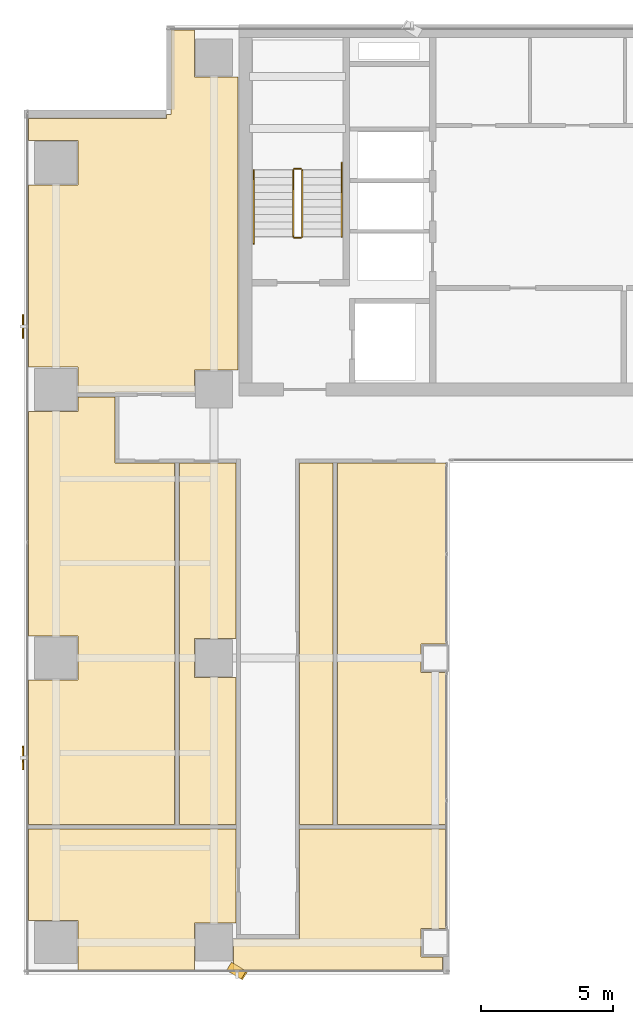
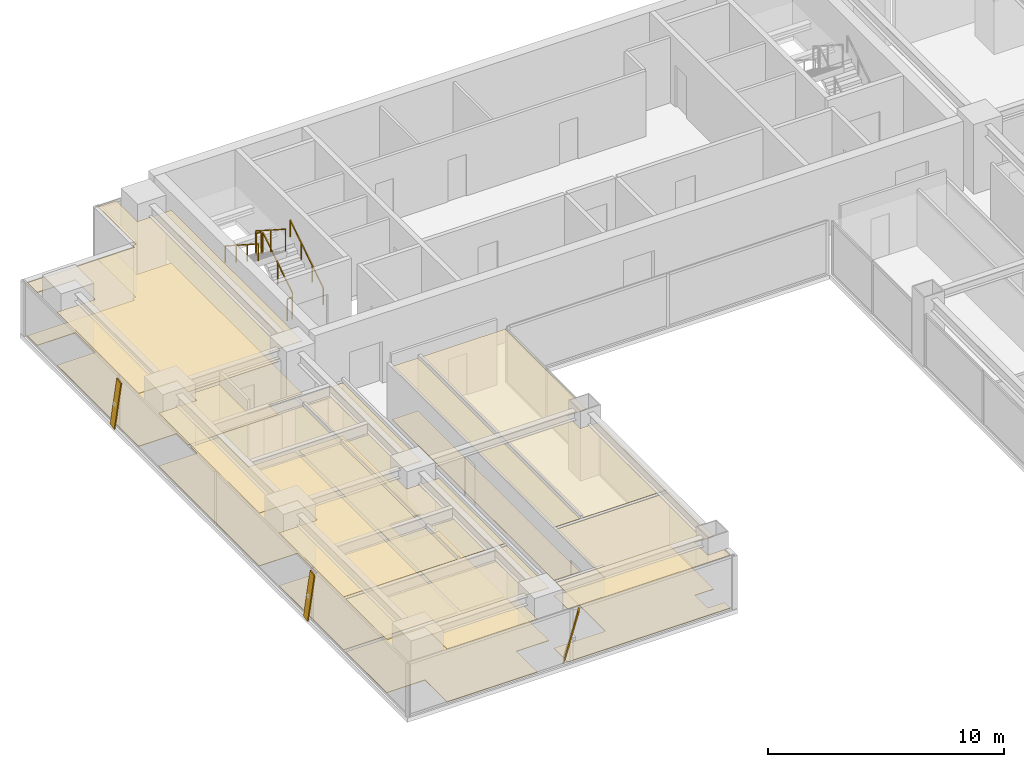
# One storey, part 27 of 30: 13 coverings, 6 railings, 3 shading devices.
"""IFC4 building model written with IfcOpenShell, lengths in metres."""

from ifc_helpers import new_model, si_unit, direction, frame, origin, origin_2d, place, context, subcontext, project, spatial, polyline, rectangle, outline, extrude, source, transform, mapped, material, layer, layer_set, material_profile, profile_set, type_object, element, save


model = new_model("IFC4")

# Units and contexts
model_context = context("Model", 3, precision=1e-05, world=origin(), true_north=direction((0.0, 1.0)))
body_context = subcontext(model_context, "Body", "Model", "MODEL_VIEW")
ifc_project = project(units=[si_unit("LENGTHUNIT", "METRE"), si_unit("AREAUNIT", "SQUARE_METRE"), si_unit("VOLUMEUNIT", "CUBIC_METRE"), si_unit("PLANEANGLEUNIT", "RADIAN"), si_unit("MASSUNIT", "GRAM", prefix="KILO")], contexts=[model_context])

# Site, building, storey
site_placement = place(None, origin())
site = spatial("IfcSite", under=ifc_project, at=site_placement, CompositionType="ELEMENT")
building_placement = place(site_placement, origin())
building = spatial("IfcBuilding", under=site, at=building_placement, Name="Sumidabori Civic Tower", CompositionType="ELEMENT")
storey_placement = place(building_placement, frame((0.0, 0.0, 200.0)))
storey = spatial("IfcBuildingStorey", under=building, at=storey_placement, Name="L51", CompositionType="ELEMENT", Elevation=200.0)

# Coverings
ifc_material_1 = material(Name="Acoustic Mineral Gypsum Ceiling Tile")
ifc_layer_1 = layer(ifc_material_1, 0.034912109375, Name="Acoustic Mineral Gypsum Ceiling Tile")
ifc_layer_set_1 = layer_set([ifc_layer_1], Name="Acoustic Mineral Gypsum Ceiling Tile")
covering_type_1 = type_object("IfcCoveringType", Name="CV-CEIL-AC1", PredefinedType="CEILING", material=ifc_layer_set_1)
covering_1_placement = place(storey_placement, frame((0.0, 0.0, 2.72998046875)))
element("IfcCovering", 1, at=covering_1_placement, inside=storey, type_object=covering_type_1, Name="Room Acoustic Ceiling L51-01", PredefinedType="CEILING", context=body_context, shape_type="SweptSolid", body=[
    extrude(outline(polyline([(-23.830078125, 17.9599609375), (-21.9599609375, 17.9599609375), (-21.9599609375, 19.639892578125), (-23.830078125, 19.639892578125), (-23.830078125, 20.471923828125), (-18.592041015625, 20.471923828125), (-18.592041015625, 20.6298828125), (-18.429931640625, 20.6298828125), (-18.429931640625, 23.830078125), (-17.5400390625, 23.830078125), (-17.5400390625, 22.06005859375), (-15.8779296875, 22.06005859375), (-15.8779296875, 10.93994140625), (-17.5400390625, 10.93994140625), (-17.5400390625, 10.10498046875), (-20.554931640625, 10.10498046875), (-20.554931640625, 10.08740234375), (-21.9599609375, 10.08740234375), (-21.9599609375, 11.0400390625), (-23.830078125, 11.0400390625), (-23.830078125, 17.9599609375)])), origin(), (0.0, 0.0, 1.0), 0.034912109375),
])
covering_2_placement = place(storey_placement, frame((0.0, 0.0, 2.72998046875)))
element("IfcCovering", 2, at=covering_2_placement, inside=storey, type_object=covering_type_1, Name="Room Acoustic Ceiling L51-03", PredefinedType="CEILING", context=body_context, shape_type="SweptSolid", body=[
    extrude(outline(polyline([(-23.830078125, -6.3125), (-23.830078125, -0.840087890625), (-21.9599609375, -0.840087890625), (-21.9599609375, 0.840087890625), (-23.830078125, 0.840087890625), (-23.830078125, 9.360107421875), (-21.9599609375, 9.360107421875), (-21.9599609375, 9.91259765625), (-20.554931640625, 9.91259765625), (-20.554931640625, 7.39501953125), (-18.28759765625, 7.39501953125), (-18.28759765625, -6.3125), (-23.830078125, -6.3125)])), origin(), (0.0, 0.0, 1.0), 0.034912109375),
])
covering_3_placement = place(storey_placement, frame((0.0, 0.0, 2.72998046875)))
element("IfcCovering", 3, at=covering_3_placement, inside=storey, type_object=covering_type_1, Name="Room Acoustic Ceiling L51-05", PredefinedType="CEILING", context=body_context, shape_type="SweptSolid", body=[
    extrude(outline(polyline([(-18.112548828125, -6.3125), (-18.112548828125, 7.39501953125), (-15.955078125, 7.39501953125), (-15.955078125, 0.739990234375), (-17.5400390625, 0.739990234375), (-17.5400390625, -0.739990234375), (-15.955078125, -0.739990234375), (-15.955078125, -6.3125), (-18.112548828125, -6.3125)])), origin(), (0.0, 0.0, 1.0), 0.034912109375),
])
covering_4_placement = place(storey_placement, frame((0.0, 0.0, 2.72998046875)))
element("IfcCovering", 4, at=covering_4_placement, inside=storey, type_object=covering_type_1, Name="Room Acoustic Ceiling L51-06", PredefinedType="CEILING", context=body_context, shape_type="SweptSolid", body=[
    extrude(outline(polyline([(-12.112548828125, 7.39501953125), (-8.02001953125, 7.39501953125), (-8.02001953125, 0.5400390625), (-8.93994140625, 0.5400390625), (-8.93994140625, -0.5400390625), (-8.02001953125, -0.5400390625), (-8.02001953125, -6.3125), (-12.112548828125, -6.3125), (-12.112548828125, 7.39501953125)])), origin(), (0.0, 0.0, 1.0), 0.034912109375),
])
covering_5_placement = place(storey_placement, frame((0.0, 0.0, 2.72998046875)))
element("IfcCovering", 5, at=covering_5_placement, inside=storey, type_object=covering_type_1, Name="Room Acoustic Ceiling L51-09", PredefinedType="CEILING", context=body_context, shape_type="SweptSolid", body=[
    extrude(outline(polyline([(-13.544921875, 7.39501953125), (-12.28759765625, 7.39501953125), (-12.28759765625, -6.3125), (-13.544921875, -6.3125), (-13.544921875, 7.39501953125)])), origin(), (0.0, 0.0, 1.0), 0.034912109375),
])
covering_6_placement = place(storey_placement, frame((0.0, 0.0, 2.72998046875)))
element("IfcCovering", 6, at=covering_6_placement, inside=storey, type_object=covering_type_1, Name="Room Acoustic Ceiling L51-11", PredefinedType="CEILING", context=body_context, shape_type="SweptSolid", body=[
    extrude(outline(polyline([(-23.830078125, -6.487548828125), (-15.955078125, -6.487548828125), (-15.955078125, -10.06005859375), (-17.5400390625, -10.06005859375), (-17.5400390625, -11.830078125), (-21.9599609375, -11.830078125), (-21.9599609375, -9.9599609375), (-23.830078125, -9.9599609375), (-23.830078125, -6.487548828125)])), origin(), (0.0, 0.0, 1.0), 0.034912109375),
])
covering_7_placement = place(storey_placement, frame((0.0, 0.0, 2.72998046875)))
element("IfcCovering", 7, at=covering_7_placement, inside=storey, type_object=covering_type_1, Name="Room Acoustic Ceiling L51-13", PredefinedType="CEILING", context=body_context, shape_type="SweptSolid", body=[
    extrude(outline(polyline([(-16.06005859375, -10.655029296875), (-13.544921875, -10.655029296875), (-13.544921875, -6.487548828125), (-8.02001953125, -6.487548828125), (-8.02001953125, -10.260009765625), (-8.93994140625, -10.260009765625), (-8.93994140625, -11.340087890625), (-8.117919921875, -11.341796875), (-8.117919921875, -11.830078125), (-16.06005859375, -11.830078125), (-16.06005859375, -10.655029296875)])), origin(), (0.0, 0.0, 1.0), 0.034912109375),
])
ifc_material_2 = material(Name="Honed Terrazzo Tile Flooring")
ifc_layer_2 = layer(ifc_material_2, 0.030029296875, Name="Honed Terrazzo Tile Flooring")
ifc_layer_set_2 = layer_set([ifc_layer_2], Name="Honed Terrazzo Tile Flooring")
covering_type_2 = type_object("IfcCoveringType", Name="CV-FLR-TER", PredefinedType="FLOORING", material=ifc_layer_set_2)
covering_8_placement = place(storey_placement, origin())
element("IfcCovering", 8, at=covering_8_placement, inside=storey, type_object=covering_type_2, Name="Room Terrazzo Floor L51-01", PredefinedType="FLOORING", context=body_context, shape_type="SweptSolid", body=[
    extrude(outline(polyline([(-23.830078125, 17.9599609375), (-21.9599609375, 17.9599609375), (-21.9599609375, 19.639892578125), (-23.830078125, 19.639892578125), (-23.830078125, 20.471923828125), (-18.592041015625, 20.471923828125), (-18.592041015625, 20.6298828125), (-18.429931640625, 20.6298828125), (-18.429931640625, 23.830078125), (-17.5400390625, 23.830078125), (-17.5400390625, 22.06005859375), (-15.8779296875, 22.06005859375), (-15.8779296875, 10.93994140625), (-17.5400390625, 10.93994140625), (-17.5400390625, 10.10498046875), (-20.554931640625, 10.10498046875), (-20.554931640625, 10.08740234375), (-21.9599609375, 10.08740234375), (-21.9599609375, 11.0400390625), (-23.830078125, 11.0400390625), (-23.830078125, 17.9599609375)])), origin(), (0.0, 0.0, 1.0), 0.030029296875),
])
covering_9_placement = place(storey_placement, origin())
element("IfcCovering", 9, at=covering_9_placement, inside=storey, type_object=covering_type_2, Name="Room Terrazzo Floor L51-03", PredefinedType="FLOORING", context=body_context, shape_type="SweptSolid", body=[
    extrude(outline(polyline([(-23.830078125, -6.3125), (-23.830078125, -0.840087890625), (-21.9599609375, -0.840087890625), (-21.9599609375, 0.840087890625), (-23.830078125, 0.840087890625), (-23.830078125, 9.360107421875), (-21.9599609375, 9.360107421875), (-21.9599609375, 9.91259765625), (-20.554931640625, 9.91259765625), (-20.554931640625, 7.39501953125), (-18.28759765625, 7.39501953125), (-18.28759765625, -6.3125), (-23.830078125, -6.3125)])), origin(), (0.0, 0.0, 1.0), 0.030029296875),
])
covering_10_placement = place(storey_placement, origin())
element("IfcCovering", 10, at=covering_10_placement, inside=storey, type_object=covering_type_2, Name="Room Terrazzo Floor L51-05", PredefinedType="FLOORING", context=body_context, shape_type="SweptSolid", body=[
    extrude(outline(polyline([(-18.112548828125, -6.3125), (-18.112548828125, 7.39501953125), (-15.955078125, 7.39501953125), (-15.955078125, 0.739990234375), (-17.5400390625, 0.739990234375), (-17.5400390625, -0.739990234375), (-15.955078125, -0.739990234375), (-15.955078125, -6.3125), (-18.112548828125, -6.3125)])), origin(), (0.0, 0.0, 1.0), 0.030029296875),
])
covering_11_placement = place(storey_placement, origin())
element("IfcCovering", 11, at=covering_11_placement, inside=storey, type_object=covering_type_2, Name="Room Terrazzo Floor L51-09", PredefinedType="FLOORING", context=body_context, shape_type="SweptSolid", body=[
    extrude(outline(polyline([(-13.544921875, 7.39501953125), (-12.28759765625, 7.39501953125), (-12.28759765625, -6.3125), (-13.544921875, -6.3125), (-13.544921875, 7.39501953125)])), origin(), (0.0, 0.0, 1.0), 0.030029296875),
])
covering_12_placement = place(storey_placement, origin())
element("IfcCovering", 12, at=covering_12_placement, inside=storey, type_object=covering_type_2, Name="Room Terrazzo Floor L51-11", PredefinedType="FLOORING", context=body_context, shape_type="SweptSolid", body=[
    extrude(outline(polyline([(-23.830078125, -6.487548828125), (-15.955078125, -6.487548828125), (-15.955078125, -10.06005859375), (-17.5400390625, -10.06005859375), (-17.5400390625, -11.830078125), (-21.9599609375, -11.830078125), (-21.9599609375, -9.9599609375), (-23.830078125, -9.9599609375), (-23.830078125, -6.487548828125)])), origin(), (0.0, 0.0, 1.0), 0.030029296875),
])
covering_13_placement = place(storey_placement, origin())
element("IfcCovering", 13, at=covering_13_placement, inside=storey, type_object=covering_type_2, Name="Room Terrazzo Floor L51-13", PredefinedType="FLOORING", context=body_context, shape_type="SweptSolid", body=[
    extrude(outline(polyline([(-16.06005859375, -10.655029296875), (-13.544921875, -10.655029296875), (-13.544921875, -6.487548828125), (-8.02001953125, -6.487548828125), (-8.02001953125, -10.260009765625), (-8.93994140625, -10.260009765625), (-8.93994140625, -11.340087890625), (-8.117919921875, -11.341796875), (-8.117919921875, -11.830078125), (-16.06005859375, -11.830078125), (-16.06005859375, -10.655029296875)])), origin(), (0.0, 0.0, 1.0), 0.030029296875),
])

# Railings
ifc_material_3 = material(Name="Stainless Steel Hairline Finish", Category="steel")
railing_type_1 = type_object("IfcRailingType", Name="RL-HANDRAIL", PredefinedType="HANDRAIL", material=ifc_material_3)
railing_1_placement = place(storey_placement, frame((-11.949951171875, 16.0, 0.179931640625)))
element("IfcRailing", 14, at=railing_1_placement, inside=storey, type_object=railing_type_1, Name="L51 ST-1 stair handrail 1", PredefinedType="HANDRAIL", context=body_context, shape_type="SweptSolid", body=[
    extrude(rectangle(XDim=0.048095703125, YDim=0.048095703125, at=origin_2d()), frame((0.0, 0.0, 0.8759765625), z_axis=(0.0, 0.84064222762, 0.54159084662), x_axis=(-1.0, 0.0, 0.0)), (0.0, 0.0, 1.0), 3.330810546875),
    extrude(rectangle(XDim=0.0419921875, YDim=0.0419921875, at=origin_2d()), origin(), (0.0, 0.0, 1.0), 0.851806640625),
    extrude(rectangle(XDim=0.0419921875, YDim=0.0419921875, at=origin_2d()), frame((0.0, 0.933349609375, 0.601318359375)), (0.0, 0.0, 1.0), 0.851806640625),
    extrude(rectangle(XDim=0.0419921875, YDim=0.0419921875, at=origin_2d()), frame((0.0, 1.86669921875, 1.20263671875)), (0.0, 0.0, 1.0), 0.851806640625),
    extrude(rectangle(XDim=0.0419921875, YDim=0.0419921875, at=origin_2d()), frame((0.0, 2.800048828125, 1.803955078125)), (0.0, 0.0, 1.0), 0.851806640625),
])
railing_2_placement = place(storey_placement, frame((-15.2900390625, 18.52001953125, 1.97998046875)))
element("IfcRailing", 15, at=railing_2_placement, inside=storey, type_object=railing_type_1, Name="L51 ST-1 stair handrail 2", PredefinedType="HANDRAIL", context=body_context, shape_type="SweptSolid", body=[
    extrude(rectangle(XDim=0.048095703125, YDim=0.048095703125, at=origin_2d()), frame((0.0, 0.0, 0.8759765625), z_axis=(0.0, -0.840675598268, 0.541539046124), x_axis=(1.0, 0.0, 0.0)), (0.0, 0.0, 1.0), 3.330810546875),
    extrude(rectangle(XDim=0.0419921875, YDim=0.0419921875, at=origin_2d()), origin(), (0.0, 0.0, 1.0), 0.851806640625),
    extrude(rectangle(XDim=0.0419921875, YDim=0.0419921875, at=origin_2d()), frame((0.0, -0.933349609375, 0.601318359375)), (0.0, 0.0, 1.0), 0.851806640625),
    extrude(rectangle(XDim=0.0419921875, YDim=0.0419921875, at=origin_2d()), frame((0.0, -1.86669921875, 1.202392578125)), (0.0, 0.0, 1.0), 0.851806640625),
    extrude(rectangle(XDim=0.0419921875, YDim=0.0419921875, at=origin_2d()), frame((0.0, -2.800048828125, 1.8037109375)), (0.0, 0.0, 1.0), 0.851806640625),
])
ifc_material_4 = material(Name="Steel SN490", Category="steel")
railing_type_2 = type_object("IfcRailingType", Name="RL-STAIR-GUARD", PredefinedType="GUARDRAIL", material=ifc_material_4)
railing_3_placement = place(storey_placement, frame((-13.449951171875, 16.0, 0.179931640625)))
element("IfcRailing", 16, at=railing_3_placement, inside=storey, type_object=railing_type_2, Name="L51 ST-1 stair guard 1", PredefinedType="GUARDRAIL", context=body_context, shape_type="SweptSolid", body=[
    extrude(rectangle(XDim=0.048095703125, YDim=0.048095703125, at=origin_2d()), frame((0.0, 0.0, 1.1259765625), z_axis=(0.0, 0.841162588446, 0.540782303519), x_axis=(-1.0, 0.0, 0.0)), (0.0, 0.0, 1.0), 2.995849609375),
    extrude(rectangle(XDim=0.0419921875, YDim=0.0419921875, at=origin_2d()), origin(), (0.0, 0.0, 1.0), 1.101806640625),
    extrude(rectangle(XDim=0.0419921875, YDim=0.0419921875, at=origin_2d()), frame((0.0, 1.260009765625, 0.81005859375)), (0.0, 0.0, 1.0), 1.101806640625),
    extrude(rectangle(XDim=0.0419921875, YDim=0.0419921875, at=origin_2d()), frame((0.0, 2.52001953125, 1.6201171875)), (0.0, 0.0, 1.0), 1.101806640625),
])
railing_4_placement = place(storey_placement, frame((-13.5, 18.570068359375, 1.800048828125)))
element("IfcRailing", 17, at=railing_4_placement, inside=storey, type_object=railing_type_2, Name="L51 ST-1 stair guard 2", PredefinedType="GUARDRAIL", context=body_context, shape_type="SweptSolid", body=[
    extrude(rectangle(XDim=0.048095703125, YDim=0.048095703125, at=origin_2d()), frame((0.0, 0.0, 1.1259765625), z_axis=(-1.0, 0.0, 0.0), x_axis=(0.0, -1.0, 0.0)), (0.0, 0.0, 1.0), 0.239990234375),
    extrude(rectangle(XDim=0.0419921875, YDim=0.0419921875, at=origin_2d()), origin(), (0.0, 0.0, 1.0), 1.101806640625),
    extrude(rectangle(XDim=0.0419921875, YDim=0.0419921875, at=origin_2d()), frame((-0.239990234375, 0.0, 0.0)), (0.0, 0.0, 1.0), 1.101806640625),
])
railing_5_placement = place(storey_placement, frame((-13.7900390625, 18.52001953125, 1.97998046875)))
element("IfcRailing", 18, at=railing_5_placement, inside=storey, type_object=railing_type_2, Name="L51 ST-1 stair guard 3", PredefinedType="GUARDRAIL", context=body_context, shape_type="SweptSolid", body=[
    extrude(rectangle(XDim=0.048095703125, YDim=0.048095703125, at=origin_2d()), frame((0.0, 0.0, 1.1259765625), z_axis=(0.0, -0.841162588446, 0.540782303519), x_axis=(1.0, 0.0, 0.0)), (0.0, 0.0, 1.0), 2.995849609375),
    extrude(rectangle(XDim=0.0419921875, YDim=0.0419921875, at=origin_2d()), origin(), (0.0, 0.0, 1.0), 1.101806640625),
    extrude(rectangle(XDim=0.0419921875, YDim=0.0419921875, at=origin_2d()), frame((0.0, -1.260009765625, 0.81005859375)), (0.0, 0.0, 1.0), 1.101806640625),
    extrude(rectangle(XDim=0.0419921875, YDim=0.0419921875, at=origin_2d()), frame((0.0, -2.52001953125, 1.6201171875)), (0.0, 0.0, 1.0), 1.101806640625),
])
railing_6_placement = place(storey_placement, frame((-13.5, 15.949951171875, 0.0)))
element("IfcRailing", 19, at=railing_6_placement, inside=storey, type_object=railing_type_2, Name="L51 ST-1 stair guard 4", PredefinedType="GUARDRAIL", context=body_context, shape_type="SweptSolid", body=[
    extrude(rectangle(XDim=0.048095703125, YDim=0.048095703125, at=origin_2d()), frame((0.0, 0.0, 1.1259765625), z_axis=(-1.0, 0.0, 0.0), x_axis=(0.0, -1.0, 0.0)), (0.0, 0.0, 1.0), 0.239990234375),
    extrude(rectangle(XDim=0.0419921875, YDim=0.0419921875, at=origin_2d()), origin(), (0.0, 0.0, 1.0), 1.101806640625),
    extrude(rectangle(XDim=0.0419921875, YDim=0.0419921875, at=origin_2d()), frame((-0.239990234375, 0.0, 0.0)), (0.0, 0.0, 1.0), 1.101806640625),
])

# Shading devices
ifc_material_5 = material(Name="Anodised Bronze Aluminium AW-6063-T6", Category="aluminium")
ifc_material_profile = material_profile(ifc_material_5, rectangle(XDim=0.054931640625, YDim=0.360107421875, at=origin_2d()), Name="BRONZE FIN 360x55")
ifc_profile_set = profile_set([ifc_material_profile], Name="Anodised Bronze Aluminium AW-6063-T6")
shading_device_type = type_object("IfcShadingDeviceType", Name="SH-FIN-360", PredefinedType="USERDEFINED", material=ifc_profile_set)
shared_shape_1 = source(origin(), body_context, "Body", "SweptSolid", [
    extrude(rectangle(XDim=0.054931640625, YDim=0.360107421875, at=origin_2d()), origin(), (0.0, 0.0, 1.0), 2.7783203125),
])
shading_device_placement = place(storey_placement, frame((-16.205078125, -11.7099609375, 0.02001953125), z_axis=(0.201581748781, -0.122407748933, 0.971792746196), x_axis=(0.830641884105, -0.504395878186, -0.235836507862)))
element("IfcShadingDevice", 20, at=shading_device_placement, inside=storey, type_object=shading_device_type, Name="Bronze Anodised Diagonal Fin L51-01", ObjectType="FIN", PredefinedType="USERDEFINED", context=body_context, shape_type="MappedRepresentation", body=[
    mapped(shared_shape_1, transform((0.0, 0.0, 0.0), x_axis=(1.0, 0.0, 0.0), y_axis=(0.0, 1.0, 0.0), z_axis=(0.0, 0.0, 1.0), scale=1.0)),
])
shared_shape_2 = source(origin(), body_context, "Body", "SweptSolid", [
    extrude(rectangle(XDim=0.054931640625, YDim=0.360107421875, at=origin_2d()), origin(), (0.0, 0.0, 1.0), 2.75732421875),
])
for number, where, z_axis, x_axis, name in (
    (21, (-24.050048828125, 12.864990234375, 0.02001953125), (0.0, -0.203109150817, 0.979156102393), (-1.0, 0.0, 0.0), "Bronze Anodised Diagonal Fin L51-01"),
    (22, (-24.050048828125, -3.5048828125, 0.02001953125), (0.0, -0.203109150817, 0.979156102393), (-1.0, 0.0, 0.0), "Bronze Anodised Diagonal Fin L51-03"),
):
    element("IfcShadingDevice", number, at=place(storey_placement, frame(where, z_axis=z_axis, x_axis=x_axis)), inside=storey, type_object=shading_device_type, Name=name, ObjectType="FIN", PredefinedType="USERDEFINED", context=body_context, shape_type="MappedRepresentation", body=[
        mapped(shared_shape_2, transform((0.0, 0.0, 0.0), x_axis=(1.0, 0.0, 0.0), y_axis=(0.0, 1.0, 0.0), z_axis=(0.0, 0.0, 1.0), scale=1.0)),
    ])

save(model, "model.ifc")
